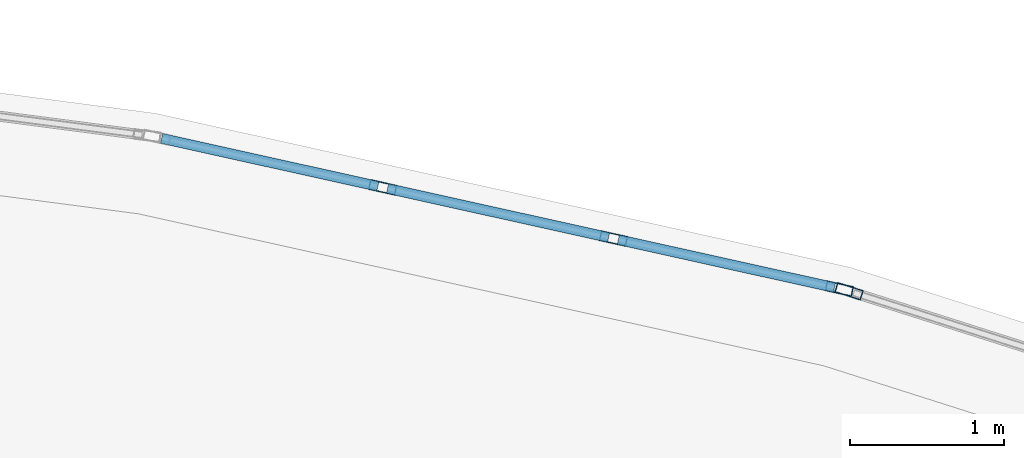
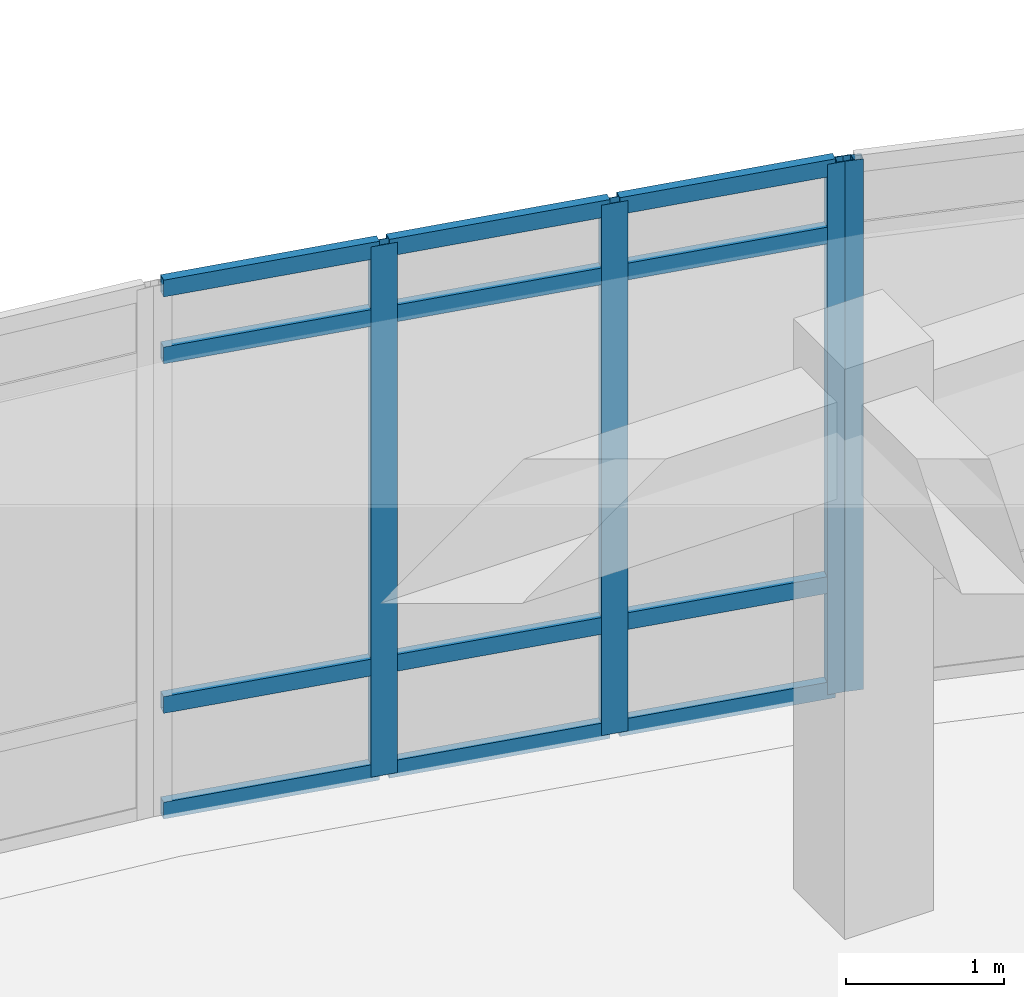
# One storey, part 53 of 142: 16 members, 2 elements without a shape of their own.
"""IFC4 building model written with IfcOpenShell, lengths in metres."""

from ifc_helpers import new_model, si_unit, direction, frame, origin, origin_2d, place, context, subcontext, project, spatial, hollow_rectangle, extrude, material, layer, layer_set, material_profile, profile_set, type_object, element, aggregate, save


model = new_model("IFC4")

# Units and contexts
model_context = context("Model", 3, precision=1e-05, world=origin(), true_north=direction((0.0, 1.0)))
body_context = subcontext(model_context, "Body", "Model", "MODEL_VIEW")
ifc_project = project(units=[si_unit("LENGTHUNIT", "METRE"), si_unit("AREAUNIT", "SQUARE_METRE"), si_unit("VOLUMEUNIT", "CUBIC_METRE"), si_unit("PLANEANGLEUNIT", "RADIAN"), si_unit("MASSUNIT", "GRAM", prefix="KILO")], contexts=[model_context])

# Site, building, storey
site_placement = place(None, origin())
site = spatial("IfcSite", under=ifc_project, at=site_placement, CompositionType="ELEMENT")
building_placement = place(site_placement, origin())
building = spatial("IfcBuilding", under=site, at=building_placement, Name="Valcora Specialist Clinic", CompositionType="ELEMENT")
storey_placement = place(building_placement, frame((0.0, 0.0, 5.10009765625)))
storey = spatial("IfcBuildingStorey", under=building, at=storey_placement, Name="L01", CompositionType="ELEMENT", Elevation=5.10009765625)

# Curtain wall, members
ifc_material = material(Name="Anodized Bronze Aluminium 6063-T6", Category="aluminium")
ifc_layer = layer(ifc_material, 0.175048828125)
ifc_layer_set = layer_set([ifc_layer], Name="Anodized Bronze Aluminium 6063-T6")
curtain_wall_type = type_object("IfcCurtainWallType", Name="TY-CW-ARC44", PredefinedType="NOTDEFINED", material=ifc_layer_set)
curtain_wall_1_placement = place(storey_placement, origin())
curtain_wall_1 = element("IfcCurtainWall", 1, at=curtain_wall_1_placement, inside=storey, type_object=curtain_wall_type, Name="Curtain wall CW-L01-200", PredefinedType="NOTDEFINED")
ifc_material_profile_1 = material_profile(ifc_material, hollow_rectangle(XDim=0.06494140625, YDim=0.175048828125, WallThickness=0.00390625, at=origin_2d()), Name="AL-MUL-65X175")
ifc_profile_set_1 = profile_set([ifc_material_profile_1], Name="Anodized Bronze Aluminium 6063-T6")
member_type_1 = type_object("IfcMemberType", Name="TY-CWM-65X175", PredefinedType="MULLION", material=ifc_profile_set_1)
member_1_placement = place(storey_placement, frame((97.4697265625, 24.75048828125, 0.0), z_axis=(0.0, 0.0, 1.0), x_axis=(0.216518052372, 0.976278614432, 0.0)))
member_1 = element("IfcMember", 2, at=member_1_placement, type_object=member_type_1, Name="CW-ARC-44 mullion 2", PredefinedType="MULLION", context=body_context, shape_type="SweptSolid", body=[
    extrude(hollow_rectangle(XDim=0.06494140625, YDim=0.175048828125, WallThickness=0.00390625, at=origin_2d()), origin(), (0.0, 0.0, 1.0), 4.10498046875),
])
member_2_placement = place(storey_placement, frame((98.96533203125, 24.418701171875, 0.0), z_axis=(0.0, 0.0, 1.0), x_axis=(0.216518052372, 0.976278614432, 0.0)))
member_2 = element("IfcMember", 3, at=member_2_placement, type_object=member_type_1, Name="CW-ARC-44 mullion 3", PredefinedType="MULLION", context=body_context, shape_type="SweptSolid", body=[
    extrude(hollow_rectangle(XDim=0.06494140625, YDim=0.175048828125, WallThickness=0.00390625, at=origin_2d()), origin(), (0.0, 0.0, 1.0), 4.10498046875),
])
member_3_placement = place(storey_placement, frame((100.42919921875, 24.093994140625, 0.0), z_axis=(0.0, 0.0, 1.0), x_axis=(0.216518052372, 0.976278614432, 0.0)))
member_3 = element("IfcMember", 4, at=member_3_placement, type_object=member_type_1, Name="CW-ARC-44 mullion 4", PredefinedType="MULLION", context=body_context, shape_type="SweptSolid", body=[
    extrude(hollow_rectangle(XDim=0.06494140625, YDim=0.175048828125, WallThickness=0.00390625, at=origin_2d()), origin(), (0.0, 0.0, 1.0), 4.10498046875),
])

# Curtain wall, member
curtain_wall_2_placement = place(storey_placement, origin())
curtain_wall_2 = element("IfcCurtainWall", 5, at=curtain_wall_2_placement, inside=storey, type_object=curtain_wall_type, Name="Curtain wall CW-L01-201", PredefinedType="NOTDEFINED")
member_4_placement = place(storey_placement, frame((100.491943359375, 24.0771484375, 0.0), z_axis=(0.0, 0.0, 1.0), x_axis=(0.303233270958, 0.952916356972, 0.0)))
member_4 = element("IfcMember", 6, at=member_4_placement, type_object=member_type_1, Name="CW-ARC-44 mullion 1", PredefinedType="MULLION", context=body_context, shape_type="SweptSolid", body=[
    extrude(hollow_rectangle(XDim=0.06494140625, YDim=0.175048828125, WallThickness=0.00390625, at=origin_2d()), origin(), (0.0, 0.0, 1.0), 4.10498046875),
])
aggregate(curtain_wall_2, [member_4])

# Member
ifc_material_profile_2 = material_profile(ifc_material, hollow_rectangle(XDim=0.06494140625, YDim=0.1298828125, WallThickness=0.00390625, at=origin_2d()), Name="AL-TRN-65X130")
ifc_profile_set_2 = profile_set([ifc_material_profile_2], Name="Anodized Bronze Aluminium 6063-T6")
member_type_2 = type_object("IfcMemberType", Name="TY-CWT-65X130", PredefinedType="USERDEFINED", material=ifc_profile_set_2)
member_5_placement = place(storey_placement, frame((96.037353515625, 25.068115234375, 0.032470703125), z_axis=(0.976255079417, -0.216624144343, 0.0), x_axis=(0.216624144343, 0.976255079417, 0.0)))
member_5 = element("IfcMember", 7, at=member_5_placement, type_object=member_type_2, Name="CW-ARC-44 transom 1.1", ObjectType="TRANSOM", PredefinedType="USERDEFINED", context=body_context, shape_type="SweptSolid", body=[
    extrude(hollow_rectangle(XDim=0.06494140625, YDim=0.1298828125, WallThickness=0.00390625, at=origin_2d()), origin(), (0.0, 0.0, 1.0), 1.434814453125),
])

member_6_placement = place(storey_placement, frame((96.037353515625, 25.068115234375, 0.849853515625), z_axis=(0.976255079417, -0.216624144343, 0.0), x_axis=(0.216624144343, 0.976255079417, 0.0)))
member_6 = element("IfcMember", 8, at=member_6_placement, type_object=member_type_2, Name="CW-ARC-44 transom 1.2", ObjectType="TRANSOM", PredefinedType="USERDEFINED", context=body_context, shape_type="SweptSolid", body=[
    extrude(hollow_rectangle(XDim=0.06494140625, YDim=0.1298828125, WallThickness=0.00390625, at=origin_2d()), origin(), (0.0, 0.0, 1.0), 1.434814453125),
])

member_7_placement = place(storey_placement, frame((96.037353515625, 25.068115234375, 3.554931640625), z_axis=(0.976255079417, -0.216624144343, 0.0), x_axis=(0.216624144343, 0.976255079417, 0.0)))
member_7 = element("IfcMember", 9, at=member_7_placement, type_object=member_type_2, Name="CW-ARC-44 transom 1.3", ObjectType="TRANSOM", PredefinedType="USERDEFINED", context=body_context, shape_type="SweptSolid", body=[
    extrude(hollow_rectangle(XDim=0.06494140625, YDim=0.1298828125, WallThickness=0.00390625, at=origin_2d()), origin(), (0.0, 0.0, 1.0), 1.434814453125),
])

member_8_placement = place(storey_placement, frame((96.037353515625, 25.068115234375, 4.072509765625), z_axis=(0.976255079417, -0.216624144343, 0.0), x_axis=(0.216624144343, 0.976255079417, 0.0)))
member_8 = element("IfcMember", 10, at=member_8_placement, type_object=member_type_2, Name="CW-ARC-44 transom 1.4", ObjectType="TRANSOM", PredefinedType="USERDEFINED", context=body_context, shape_type="SweptSolid", body=[
    extrude(hollow_rectangle(XDim=0.06494140625, YDim=0.1298828125, WallThickness=0.00390625, at=origin_2d()), origin(), (0.0, 0.0, 1.0), 1.434814453125),
])

member_9_placement = place(storey_placement, frame((97.50146484375, 24.743408203125, 0.032470703125), z_axis=(0.976277043921, -0.216525133676, 0.0), x_axis=(0.216525133676, 0.976277043921, 0.0)))
member_9 = element("IfcMember", 11, at=member_9_placement, type_object=member_type_2, Name="CW-ARC-44 transom 2.1", ObjectType="TRANSOM", PredefinedType="USERDEFINED", context=body_context, shape_type="SweptSolid", body=[
    extrude(hollow_rectangle(XDim=0.06494140625, YDim=0.1298828125, WallThickness=0.00390625, at=origin_2d()), origin(), (0.0, 0.0, 1.0), 1.467041015625),
])

member_10_placement = place(storey_placement, frame((97.50146484375, 24.743408203125, 0.849853515625), z_axis=(0.976277043921, -0.216525133676, 0.0), x_axis=(0.216525133676, 0.976277043921, 0.0)))
member_10 = element("IfcMember", 12, at=member_10_placement, type_object=member_type_2, Name="CW-ARC-44 transom 2.2", ObjectType="TRANSOM", PredefinedType="USERDEFINED", context=body_context, shape_type="SweptSolid", body=[
    extrude(hollow_rectangle(XDim=0.06494140625, YDim=0.1298828125, WallThickness=0.00390625, at=origin_2d()), origin(), (0.0, 0.0, 1.0), 1.467041015625),
])

member_11_placement = place(storey_placement, frame((97.50146484375, 24.743408203125, 3.554931640625), z_axis=(0.976277043921, -0.216525133676, 0.0), x_axis=(0.216525133676, 0.976277043921, 0.0)))
member_11 = element("IfcMember", 13, at=member_11_placement, type_object=member_type_2, Name="CW-ARC-44 transom 2.3", ObjectType="TRANSOM", PredefinedType="USERDEFINED", context=body_context, shape_type="SweptSolid", body=[
    extrude(hollow_rectangle(XDim=0.06494140625, YDim=0.1298828125, WallThickness=0.00390625, at=origin_2d()), origin(), (0.0, 0.0, 1.0), 1.467041015625),
])

member_12_placement = place(storey_placement, frame((97.50146484375, 24.743408203125, 4.072509765625), z_axis=(0.976277043921, -0.216525133676, 0.0), x_axis=(0.216525133676, 0.976277043921, 0.0)))
member_12 = element("IfcMember", 14, at=member_12_placement, type_object=member_type_2, Name="CW-ARC-44 transom 2.4", ObjectType="TRANSOM", PredefinedType="USERDEFINED", context=body_context, shape_type="SweptSolid", body=[
    extrude(hollow_rectangle(XDim=0.06494140625, YDim=0.1298828125, WallThickness=0.00390625, at=origin_2d()), origin(), (0.0, 0.0, 1.0), 1.467041015625),
])

member_13_placement = place(storey_placement, frame((98.9970703125, 24.41162109375, 0.032470703125), z_axis=(0.976283078872, -0.216497921256, 0.0), x_axis=(0.216497921256, 0.976283078872, 0.0)))
member_13 = element("IfcMember", 15, at=member_13_placement, type_object=member_type_2, Name="CW-ARC-44 transom 3.1", ObjectType="TRANSOM", PredefinedType="USERDEFINED", context=body_context, shape_type="SweptSolid", body=[
    extrude(hollow_rectangle(XDim=0.06494140625, YDim=0.1298828125, WallThickness=0.00390625, at=origin_2d()), origin(), (0.0, 0.0, 1.0), 1.434326171875),
])

member_14_placement = place(storey_placement, frame((98.9970703125, 24.41162109375, 0.849853515625), z_axis=(0.976283078872, -0.216497921256, 0.0), x_axis=(0.216497921256, 0.976283078872, 0.0)))
member_14 = element("IfcMember", 16, at=member_14_placement, type_object=member_type_2, Name="CW-ARC-44 transom 3.2", ObjectType="TRANSOM", PredefinedType="USERDEFINED", context=body_context, shape_type="SweptSolid", body=[
    extrude(hollow_rectangle(XDim=0.06494140625, YDim=0.1298828125, WallThickness=0.00390625, at=origin_2d()), origin(), (0.0, 0.0, 1.0), 1.434326171875),
])

member_15_placement = place(storey_placement, frame((98.9970703125, 24.41162109375, 3.554931640625), z_axis=(0.976283078872, -0.216497921256, 0.0), x_axis=(0.216497921256, 0.976283078872, 0.0)))
member_15 = element("IfcMember", 17, at=member_15_placement, type_object=member_type_2, Name="CW-ARC-44 transom 3.3", ObjectType="TRANSOM", PredefinedType="USERDEFINED", context=body_context, shape_type="SweptSolid", body=[
    extrude(hollow_rectangle(XDim=0.06494140625, YDim=0.1298828125, WallThickness=0.00390625, at=origin_2d()), origin(), (0.0, 0.0, 1.0), 1.434326171875),
])

member_16_placement = place(storey_placement, frame((98.9970703125, 24.41162109375, 4.072509765625), z_axis=(0.976283078872, -0.216497921256, 0.0), x_axis=(0.216497921256, 0.976283078872, 0.0)))
member_16 = element("IfcMember", 18, at=member_16_placement, type_object=member_type_2, Name="CW-ARC-44 transom 3.4", ObjectType="TRANSOM", PredefinedType="USERDEFINED", context=body_context, shape_type="SweptSolid", body=[
    extrude(hollow_rectangle(XDim=0.06494140625, YDim=0.1298828125, WallThickness=0.00390625, at=origin_2d()), origin(), (0.0, 0.0, 1.0), 1.434326171875),
])

aggregate(curtain_wall_1, [member_1, member_2, member_3, member_5, member_6, member_7, member_8, member_9, member_10, member_11, member_12, member_13, member_14, member_15, member_16])

save(model, "model.ifc")
